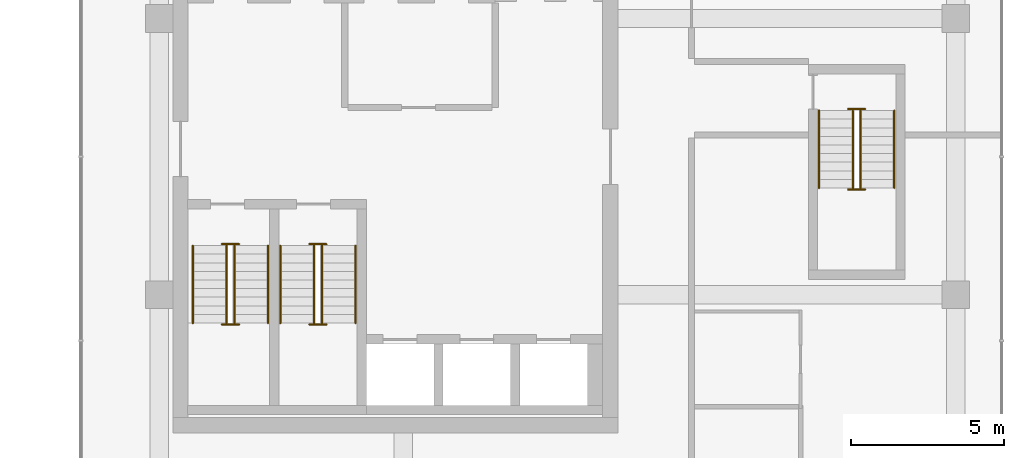
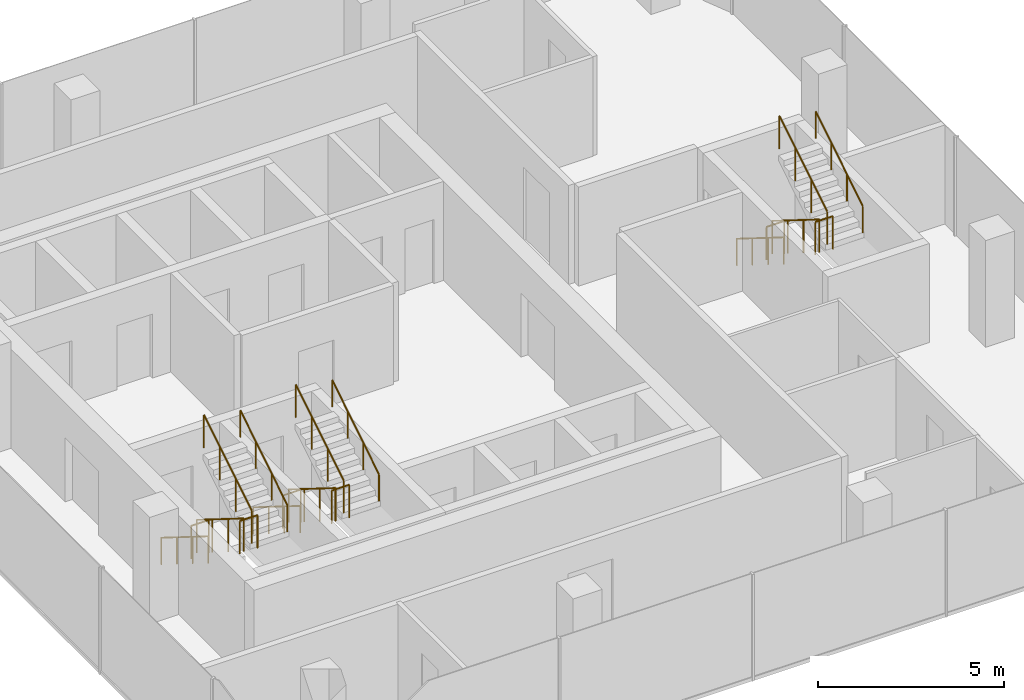
# One storey, part 22 of 22: 18 railings.
"""IFC4 building model written with IfcOpenShell, lengths in metres."""

from ifc_helpers import new_model, si_unit, direction, frame, origin, origin_2d, place, context, subcontext, project, spatial, circle, extrude, material, type_object, element, save


model = new_model("IFC4")

# Units and contexts
model_context = context("Model", 3, precision=1e-05, world=origin(), true_north=direction((0.0, 1.0)))
body_context = subcontext(model_context, "Body", "Model", "MODEL_VIEW")
ifc_project = project(units=[si_unit("LENGTHUNIT", "METRE"), si_unit("AREAUNIT", "SQUARE_METRE"), si_unit("VOLUMEUNIT", "CUBIC_METRE"), si_unit("PLANEANGLEUNIT", "RADIAN"), si_unit("MASSUNIT", "GRAM", prefix="KILO")], contexts=[model_context])

# Site, building, storey
site_placement = place(None, origin())
site = spatial("IfcSite", under=ifc_project, at=site_placement, CompositionType="ELEMENT")
building_placement = place(site_placement, origin())
building = spatial("IfcBuilding", under=site, at=building_placement, Name="Plateau Cross Towers", CompositionType="ELEMENT")
storey_placement = place(building_placement, frame((0.0, 0.0, 61.800048828125)))
storey = spatial("IfcBuildingStorey", under=building, at=storey_placement, Name="L15", CompositionType="ELEMENT", Elevation=61.800048828125)

# Railings
ifc_material_1 = material(Name="Stainless steel and toughened glass", Category="steel")
railing_type_1 = type_object("IfcRailingType", Name="RL-GUARD-1100", PredefinedType="GUARDRAIL", material=ifc_material_1)
railing_1_placement = place(storey_placement, frame((76.75, 6.10009765625, 0.175048828125)))
element("IfcRailing", 1, at=railing_1_placement, inside=storey, type_object=railing_type_1, Name="L15 SB-1 stair guard 1", PredefinedType="GUARDRAIL", context=body_context, shape_type="SweptSolid", body=[
    extrude(circle(Radius=0.02392578125, at=origin_2d()), frame((0.0, 0.0, 1.076171875), z_axis=(0.0, -0.848007534815, 0.529984170421), x_axis=(1.0, 0.0, 0.0)), (0.0, 0.0, 1.0), 2.9716796875),
    extrude(circle(Radius=0.02099609375, at=origin_2d()), origin(), (0.0, 0.0, 1.0), 1.052001953125),
    extrude(circle(Radius=0.02099609375, at=origin_2d()), frame((0.0, -0.840087890625, 0.52490234375)), (0.0, 0.0, 1.0), 1.052001953125),
    extrude(circle(Radius=0.02099609375, at=origin_2d()), frame((0.0, -1.679931640625, 1.050048828125)), (0.0, 0.0, 1.0), 1.052001953125),
    extrude(circle(Radius=0.02099609375, at=origin_2d()), frame((0.0, -2.52001953125, 1.574951171875)), (0.0, 0.0, 1.0), 1.052001953125),
])
railing_2_placement = place(storey_placement, frame((76.60009765625, 3.530029296875, 1.75)))
element("IfcRailing", 2, at=railing_2_placement, inside=storey, type_object=railing_type_1, Name="L15 SB-1 stair guard 2", PredefinedType="GUARDRAIL", context=body_context, shape_type="SweptSolid", body=[
    extrude(circle(Radius=0.02392578125, at=origin_2d()), frame((0.0, 0.0, 1.076171875), z_axis=(1.0, 0.0, 0.0), x_axis=(0.0, 1.0, 0.0)), (0.0, 0.0, 1.0), 0.5498046875),
    extrude(circle(Radius=0.02099609375, at=origin_2d()), origin(), (0.0, 0.0, 1.0), 1.052001953125),
    extrude(circle(Radius=0.02099609375, at=origin_2d()), frame((0.5498046875, 0.0, 0.0)), (0.0, 0.0, 1.0), 1.052001953125),
])
railing_3_placement = place(storey_placement, frame((77.0, 3.580078125, 1.925048828125)))
element("IfcRailing", 3, at=railing_3_placement, inside=storey, type_object=railing_type_1, Name="L15 SB-1 stair guard 3", PredefinedType="GUARDRAIL", context=body_context, shape_type="SweptSolid", body=[
    extrude(circle(Radius=0.02392578125, at=origin_2d()), frame((0.0, 0.0, 1.076171875), z_axis=(0.0, 0.852616386126, 0.522537365276), x_axis=(-1.0, 0.0, 0.0)), (0.0, 0.0, 1.0), 3.01416015625),
    extrude(circle(Radius=0.02099609375, at=origin_2d()), origin(), (0.0, 0.0, 1.0), 1.052001953125),
    extrude(circle(Radius=0.02099609375, at=origin_2d()), frame((0.0, 0.856689453125, 0.52490234375)), (0.0, 0.0, 1.0), 1.052001953125),
    extrude(circle(Radius=0.02099609375, at=origin_2d()), frame((0.0, 1.713134765625, 1.050048828125)), (0.0, 0.0, 1.0), 1.052001953125),
    extrude(circle(Radius=0.02099609375, at=origin_2d()), frame((0.0, 2.56982421875, 1.574951171875)), (0.0, 0.0, 1.0), 1.052001953125),
])
railing_4_placement = place(storey_placement, frame((76.60009765625, 6.14990234375, 0.0)))
element("IfcRailing", 4, at=railing_4_placement, inside=storey, type_object=railing_type_1, Name="L15 SB-1 stair guard 4", PredefinedType="GUARDRAIL", context=body_context, shape_type="SweptSolid", body=[
    extrude(circle(Radius=0.02392578125, at=origin_2d()), frame((0.0, 0.0, 1.076171875), z_axis=(1.0, 0.0, 0.0), x_axis=(0.0, 1.0, 0.0)), (0.0, 0.0, 1.0), 0.5498046875),
    extrude(circle(Radius=0.02099609375, at=origin_2d()), origin(), (0.0, 0.0, 1.0), 1.052001953125),
    extrude(circle(Radius=0.02099609375, at=origin_2d()), frame((0.5498046875, 0.0, 0.0)), (0.0, 0.0, 1.0), 1.052001953125),
])
railing_5_placement = place(storey_placement, frame((79.60009765625, 6.10009765625, 0.175048828125)))
element("IfcRailing", 5, at=railing_5_placement, inside=storey, type_object=railing_type_1, Name="L15 SB-2 stair guard 1", PredefinedType="GUARDRAIL", context=body_context, shape_type="SweptSolid", body=[
    extrude(circle(Radius=0.02392578125, at=origin_2d()), frame((0.0, 0.0, 1.076171875), z_axis=(0.0, -0.848007534815, 0.529984170421), x_axis=(1.0, 0.0, 0.0)), (0.0, 0.0, 1.0), 2.9716796875),
    extrude(circle(Radius=0.02099609375, at=origin_2d()), origin(), (0.0, 0.0, 1.0), 1.052001953125),
    extrude(circle(Radius=0.02099609375, at=origin_2d()), frame((0.0, -0.840087890625, 0.52490234375)), (0.0, 0.0, 1.0), 1.052001953125),
    extrude(circle(Radius=0.02099609375, at=origin_2d()), frame((0.0, -1.679931640625, 1.050048828125)), (0.0, 0.0, 1.0), 1.052001953125),
    extrude(circle(Radius=0.02099609375, at=origin_2d()), frame((0.0, -2.52001953125, 1.574951171875)), (0.0, 0.0, 1.0), 1.052001953125),
])
railing_6_placement = place(storey_placement, frame((79.449951171875, 3.530029296875, 1.75)))
element("IfcRailing", 6, at=railing_6_placement, inside=storey, type_object=railing_type_1, Name="L15 SB-2 stair guard 2", PredefinedType="GUARDRAIL", context=body_context, shape_type="SweptSolid", body=[
    extrude(circle(Radius=0.02392578125, at=origin_2d()), frame((0.0, 0.0, 1.076171875), z_axis=(1.0, 0.0, 0.0), x_axis=(0.0, 1.0, 0.0)), (0.0, 0.0, 1.0), 0.550048828125),
    extrude(circle(Radius=0.02099609375, at=origin_2d()), origin(), (0.0, 0.0, 1.0), 1.052001953125),
    extrude(circle(Radius=0.02099609375, at=origin_2d()), frame((0.550048828125, 0.0, 0.0)), (0.0, 0.0, 1.0), 1.052001953125),
])
railing_7_placement = place(storey_placement, frame((79.85009765625, 3.580078125, 1.925048828125)))
element("IfcRailing", 7, at=railing_7_placement, inside=storey, type_object=railing_type_1, Name="L15 SB-2 stair guard 3", PredefinedType="GUARDRAIL", context=body_context, shape_type="SweptSolid", body=[
    extrude(circle(Radius=0.02392578125, at=origin_2d()), frame((0.0, 0.0, 1.076171875), z_axis=(0.0, 0.852616386126, 0.522537365276), x_axis=(-1.0, 0.0, 0.0)), (0.0, 0.0, 1.0), 3.01416015625),
    extrude(circle(Radius=0.02099609375, at=origin_2d()), origin(), (0.0, 0.0, 1.0), 1.052001953125),
    extrude(circle(Radius=0.02099609375, at=origin_2d()), frame((0.0, 0.856689453125, 0.52490234375)), (0.0, 0.0, 1.0), 1.052001953125),
    extrude(circle(Radius=0.02099609375, at=origin_2d()), frame((0.0, 1.713134765625, 1.050048828125)), (0.0, 0.0, 1.0), 1.052001953125),
    extrude(circle(Radius=0.02099609375, at=origin_2d()), frame((0.0, 2.56982421875, 1.574951171875)), (0.0, 0.0, 1.0), 1.052001953125),
])
railing_8_placement = place(storey_placement, frame((79.449951171875, 6.14990234375, 0.0)))
element("IfcRailing", 8, at=railing_8_placement, inside=storey, type_object=railing_type_1, Name="L15 SB-2 stair guard 4", PredefinedType="GUARDRAIL", context=body_context, shape_type="SweptSolid", body=[
    extrude(circle(Radius=0.02392578125, at=origin_2d()), frame((0.0, 0.0, 1.076171875), z_axis=(1.0, 0.0, 0.0), x_axis=(0.0, 1.0, 0.0)), (0.0, 0.0, 1.0), 0.550048828125),
    extrude(circle(Radius=0.02099609375, at=origin_2d()), origin(), (0.0, 0.0, 1.0), 1.052001953125),
    extrude(circle(Radius=0.02099609375, at=origin_2d()), frame((0.550048828125, 0.0, 0.0)), (0.0, 0.0, 1.0), 1.052001953125),
])
railing_9_placement = place(storey_placement, frame((97.14990234375, 10.5, 0.175048828125)))
element("IfcRailing", 9, at=railing_9_placement, inside=storey, type_object=railing_type_1, Name="L15 SB-3 stair guard 1", PredefinedType="GUARDRAIL", context=body_context, shape_type="SweptSolid", body=[
    extrude(circle(Radius=0.02392578125, at=origin_2d()), frame((0.0, 0.0, 1.076171875), z_axis=(0.0, -0.848007534815, 0.529984170421), x_axis=(1.0, 0.0, 0.0)), (0.0, 0.0, 1.0), 2.9716796875),
    extrude(circle(Radius=0.02099609375, at=origin_2d()), origin(), (0.0, 0.0, 1.0), 1.052001953125),
    extrude(circle(Radius=0.02099609375, at=origin_2d()), frame((0.0, -0.840087890625, 0.52490234375)), (0.0, 0.0, 1.0), 1.052001953125),
    extrude(circle(Radius=0.02099609375, at=origin_2d()), frame((0.0, -1.679931640625, 1.050048828125)), (0.0, 0.0, 1.0), 1.052001953125),
    extrude(circle(Radius=0.02099609375, at=origin_2d()), frame((0.0, -2.52001953125, 1.574951171875)), (0.0, 0.0, 1.0), 1.052001953125),
])
railing_10_placement = place(storey_placement, frame((97.0, 7.929931640625, 1.75)))
element("IfcRailing", 10, at=railing_10_placement, inside=storey, type_object=railing_type_1, Name="L15 SB-3 stair guard 2", PredefinedType="GUARDRAIL", context=body_context, shape_type="SweptSolid", body=[
    extrude(circle(Radius=0.02392578125, at=origin_2d()), frame((0.0, 0.0, 1.076171875), z_axis=(1.0, 0.0, 0.0), x_axis=(0.0, 1.0, 0.0)), (0.0, 0.0, 1.0), 0.550048828125),
    extrude(circle(Radius=0.02099609375, at=origin_2d()), origin(), (0.0, 0.0, 1.0), 1.052001953125),
    extrude(circle(Radius=0.02099609375, at=origin_2d()), frame((0.550048828125, 0.0, 0.0)), (0.0, 0.0, 1.0), 1.052001953125),
])
railing_11_placement = place(storey_placement, frame((97.39990234375, 7.97998046875, 1.925048828125)))
element("IfcRailing", 11, at=railing_11_placement, inside=storey, type_object=railing_type_1, Name="L15 SB-3 stair guard 3", PredefinedType="GUARDRAIL", context=body_context, shape_type="SweptSolid", body=[
    extrude(circle(Radius=0.02392578125, at=origin_2d()), frame((0.0, 0.0, 1.076171875), z_axis=(0.0, 0.852638500773, 0.522501279423), x_axis=(-1.0, 0.0, 0.0)), (0.0, 0.0, 1.0), 3.01416015625),
    extrude(circle(Radius=0.02099609375, at=origin_2d()), origin(), (0.0, 0.0, 1.0), 1.052001953125),
    extrude(circle(Radius=0.02099609375, at=origin_2d()), frame((0.0, 0.856689453125, 0.52490234375)), (0.0, 0.0, 1.0), 1.052001953125),
    extrude(circle(Radius=0.02099609375, at=origin_2d()), frame((0.0, 1.71337890625, 1.050048828125)), (0.0, 0.0, 1.0), 1.052001953125),
    extrude(circle(Radius=0.02099609375, at=origin_2d()), frame((0.0, 2.570068359375, 1.574951171875)), (0.0, 0.0, 1.0), 1.052001953125),
])
railing_12_placement = place(storey_placement, frame((97.0, 10.550048828125, 0.0)))
element("IfcRailing", 12, at=railing_12_placement, inside=storey, type_object=railing_type_1, Name="L15 SB-3 stair guard 4", PredefinedType="GUARDRAIL", context=body_context, shape_type="SweptSolid", body=[
    extrude(circle(Radius=0.02392578125, at=origin_2d()), frame((0.0, 0.0, 1.076171875), z_axis=(1.0, 0.0, 0.0), x_axis=(0.0, 1.0, 0.0)), (0.0, 0.0, 1.0), 0.550048828125),
    extrude(circle(Radius=0.02099609375, at=origin_2d()), origin(), (0.0, 0.0, 1.0), 1.052001953125),
    extrude(circle(Radius=0.02099609375, at=origin_2d()), frame((0.550048828125, 0.0, 0.0)), (0.0, 0.0, 1.0), 1.052001953125),
])
ifc_material_2 = material(Name="Black anodised aluminium", Category="aluminium")
railing_type_2 = type_object("IfcRailingType", Name="RL-HANDRAIL-900", PredefinedType="HANDRAIL", material=ifc_material_2)
railing_13_placement = place(storey_placement, frame((75.64990234375, 6.10009765625, 0.175048828125)))
element("IfcRailing", 13, at=railing_13_placement, inside=storey, type_object=railing_type_2, Name="L15 SB-1 stair handrail 1", PredefinedType="HANDRAIL", context=body_context, shape_type="SweptSolid", body=[
    extrude(circle(Radius=0.02392578125, at=origin_2d()), frame((0.0, 0.0, 0.8759765625), z_axis=(0.0, -0.848007534815, 0.529984170421), x_axis=(1.0, 0.0, 0.0)), (0.0, 0.0, 1.0), 2.9716796875),
    extrude(circle(Radius=0.02099609375, at=origin_2d()), origin(), (0.0, 0.0, 1.0), 0.851806640625),
    extrude(circle(Radius=0.02099609375, at=origin_2d()), frame((0.0, -0.840087890625, 0.52490234375)), (0.0, 0.0, 1.0), 0.851806640625),
    extrude(circle(Radius=0.02099609375, at=origin_2d()), frame((0.0, -1.679931640625, 1.050048828125)), (0.0, 0.0, 1.0), 0.851806640625),
    extrude(circle(Radius=0.02099609375, at=origin_2d()), frame((0.0, -2.52001953125, 1.574951171875)), (0.0, 0.0, 1.0), 0.851806640625),
])
railing_14_placement = place(storey_placement, frame((78.10009765625, 3.580078125, 1.925048828125)))
element("IfcRailing", 14, at=railing_14_placement, inside=storey, type_object=railing_type_2, Name="L15 SB-1 stair handrail 2", PredefinedType="HANDRAIL", context=body_context, shape_type="SweptSolid", body=[
    extrude(circle(Radius=0.02392578125, at=origin_2d()), frame((0.0, 0.0, 0.8759765625), z_axis=(0.0, 0.848007534815, 0.529984170421), x_axis=(-1.0, 0.0, 0.0)), (0.0, 0.0, 1.0), 2.9716796875),
    extrude(circle(Radius=0.02099609375, at=origin_2d()), origin(), (0.0, 0.0, 1.0), 0.851806640625),
    extrude(circle(Radius=0.02099609375, at=origin_2d()), frame((0.0, 0.840087890625, 0.52490234375)), (0.0, 0.0, 1.0), 0.851806640625),
    extrude(circle(Radius=0.02099609375, at=origin_2d()), frame((0.0, 1.679931640625, 1.050048828125)), (0.0, 0.0, 1.0), 0.851806640625),
    extrude(circle(Radius=0.02099609375, at=origin_2d()), frame((0.0, 2.52001953125, 1.574951171875)), (0.0, 0.0, 1.0), 0.851806640625),
])
railing_15_placement = place(storey_placement, frame((78.5, 6.10009765625, 0.175048828125)))
element("IfcRailing", 15, at=railing_15_placement, inside=storey, type_object=railing_type_2, Name="L15 SB-2 stair handrail 1", PredefinedType="HANDRAIL", context=body_context, shape_type="SweptSolid", body=[
    extrude(circle(Radius=0.02392578125, at=origin_2d()), frame((0.0, 0.0, 0.8759765625), z_axis=(0.0, -0.848007534815, 0.529984170421), x_axis=(1.0, 0.0, 0.0)), (0.0, 0.0, 1.0), 2.9716796875),
    extrude(circle(Radius=0.02099609375, at=origin_2d()), origin(), (0.0, 0.0, 1.0), 0.851806640625),
    extrude(circle(Radius=0.02099609375, at=origin_2d()), frame((0.0, -0.840087890625, 0.52490234375)), (0.0, 0.0, 1.0), 0.851806640625),
    extrude(circle(Radius=0.02099609375, at=origin_2d()), frame((0.0, -1.679931640625, 1.050048828125)), (0.0, 0.0, 1.0), 0.851806640625),
    extrude(circle(Radius=0.02099609375, at=origin_2d()), frame((0.0, -2.52001953125, 1.574951171875)), (0.0, 0.0, 1.0), 0.851806640625),
])
railing_16_placement = place(storey_placement, frame((80.949951171875, 3.580078125, 1.925048828125)))
element("IfcRailing", 16, at=railing_16_placement, inside=storey, type_object=railing_type_2, Name="L15 SB-2 stair handrail 2", PredefinedType="HANDRAIL", context=body_context, shape_type="SweptSolid", body=[
    extrude(circle(Radius=0.02392578125, at=origin_2d()), frame((0.0, 0.0, 0.8759765625), z_axis=(0.0, 0.848007534815, 0.529984170421), x_axis=(-1.0, 0.0, 0.0)), (0.0, 0.0, 1.0), 2.9716796875),
    extrude(circle(Radius=0.02099609375, at=origin_2d()), origin(), (0.0, 0.0, 1.0), 0.851806640625),
    extrude(circle(Radius=0.02099609375, at=origin_2d()), frame((0.0, 0.840087890625, 0.52490234375)), (0.0, 0.0, 1.0), 0.851806640625),
    extrude(circle(Radius=0.02099609375, at=origin_2d()), frame((0.0, 1.679931640625, 1.050048828125)), (0.0, 0.0, 1.0), 0.851806640625),
    extrude(circle(Radius=0.02099609375, at=origin_2d()), frame((0.0, 2.52001953125, 1.574951171875)), (0.0, 0.0, 1.0), 0.851806640625),
])
railing_17_placement = place(storey_placement, frame((96.050048828125, 10.5, 0.175048828125)))
element("IfcRailing", 17, at=railing_17_placement, inside=storey, type_object=railing_type_2, Name="L15 SB-3 stair handrail 1", PredefinedType="HANDRAIL", context=body_context, shape_type="SweptSolid", body=[
    extrude(circle(Radius=0.02392578125, at=origin_2d()), frame((0.0, 0.0, 0.8759765625), z_axis=(0.0, -0.848007534815, 0.529984170421), x_axis=(1.0, 0.0, 0.0)), (0.0, 0.0, 1.0), 2.9716796875),
    extrude(circle(Radius=0.02099609375, at=origin_2d()), origin(), (0.0, 0.0, 1.0), 0.851806640625),
    extrude(circle(Radius=0.02099609375, at=origin_2d()), frame((0.0, -0.840087890625, 0.52490234375)), (0.0, 0.0, 1.0), 0.851806640625),
    extrude(circle(Radius=0.02099609375, at=origin_2d()), frame((0.0, -1.679931640625, 1.050048828125)), (0.0, 0.0, 1.0), 0.851806640625),
    extrude(circle(Radius=0.02099609375, at=origin_2d()), frame((0.0, -2.52001953125, 1.574951171875)), (0.0, 0.0, 1.0), 0.851806640625),
])
railing_18_placement = place(storey_placement, frame((98.5, 7.97998046875, 1.925048828125)))
element("IfcRailing", 18, at=railing_18_placement, inside=storey, type_object=railing_type_2, Name="L15 SB-3 stair handrail 2", PredefinedType="HANDRAIL", context=body_context, shape_type="SweptSolid", body=[
    extrude(circle(Radius=0.02392578125, at=origin_2d()), frame((0.0, 0.0, 0.8759765625), z_axis=(0.0, 0.848007534815, 0.529984170421), x_axis=(-1.0, 0.0, 0.0)), (0.0, 0.0, 1.0), 2.9716796875),
    extrude(circle(Radius=0.02099609375, at=origin_2d()), origin(), (0.0, 0.0, 1.0), 0.851806640625),
    extrude(circle(Radius=0.02099609375, at=origin_2d()), frame((0.0, 0.840087890625, 0.52490234375)), (0.0, 0.0, 1.0), 0.851806640625),
    extrude(circle(Radius=0.02099609375, at=origin_2d()), frame((0.0, 1.679931640625, 1.050048828125)), (0.0, 0.0, 1.0), 0.851806640625),
    extrude(circle(Radius=0.02099609375, at=origin_2d()), frame((0.0, 2.52001953125, 1.574951171875)), (0.0, 0.0, 1.0), 0.851806640625),
])

save(model, "model.ifc")
